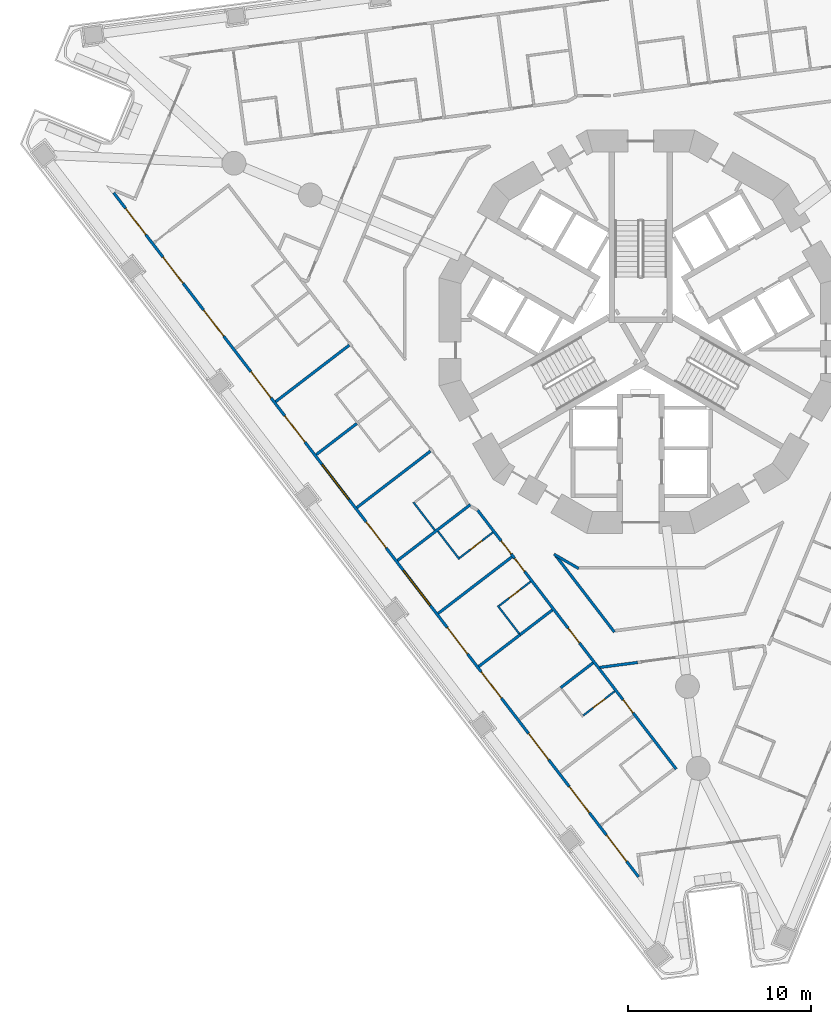
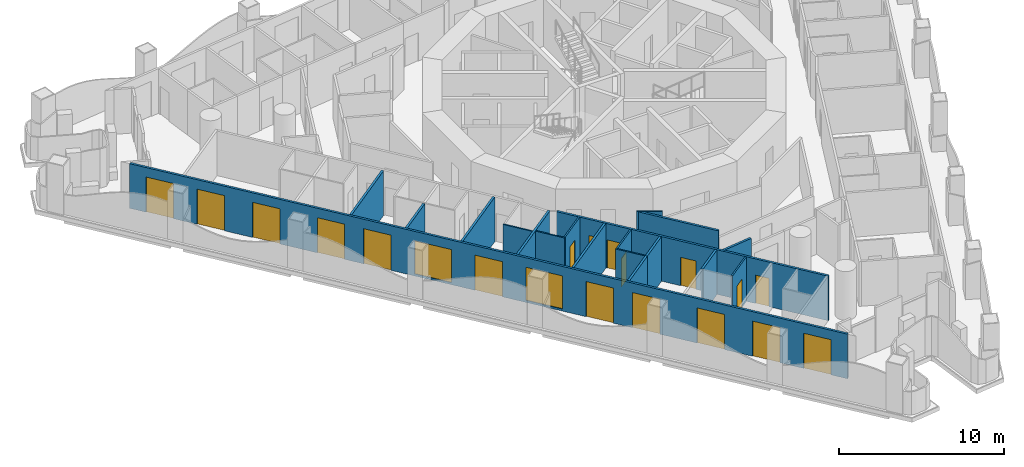
# One storey, part 2 of 19: 19 walls, 18 doors, 2 windows, 20 openings.
"""IFC4 building model written with IfcOpenShell, lengths in metres."""

from ifc_helpers import new_model, si_unit, direction, frame, frame_2d, origin, place, context, subcontext, project, spatial, polyline, rectangle, outline, extrude, material, layer, layer_set, type_object, element, fill, save


model = new_model("IFC4")

# Units and contexts
model_context = context("Model", 3, precision=1e-05, world=origin(), true_north=direction((0.0, 1.0)))
body_context = subcontext(model_context, "Body", "Model", "MODEL_VIEW")
ifc_project = project(units=[si_unit("LENGTHUNIT", "METRE"), si_unit("AREAUNIT", "SQUARE_METRE"), si_unit("VOLUMEUNIT", "CUBIC_METRE"), si_unit("PLANEANGLEUNIT", "RADIAN"), si_unit("MASSUNIT", "GRAM", prefix="KILO")], contexts=[model_context])

# Site, building, storey
site_placement = place(None, origin())
site = spatial("IfcSite", under=ifc_project, at=site_placement, CompositionType="ELEMENT")
building_placement = place(site_placement, origin())
building = spatial("IfcBuilding", under=site, at=building_placement, Name="Trine Commons Tower", CompositionType="ELEMENT")
storey_placement = place(building_placement, frame((0.0, 0.0, 54.0)))
storey = spatial("IfcBuildingStorey", under=building, at=storey_placement, Name="L12", CompositionType="ELEMENT", Elevation=54.0)

# Wall, openings, windows, doors
ifc_material_1 = material(Name="Aluminium-framed insulated wall panel", Category="aluminium")
ifc_layer_1 = layer(ifc_material_1, 0.14990234375)
ifc_layer_set_1 = layer_set([ifc_layer_1], Name="Aluminium-framed insulated wall panel")
wall_type_1 = type_object("IfcWallType", Name="Glazed frame wall 150, EI 60", PredefinedType="SOLIDWALL", material=ifc_layer_set_1)
wall_1_placement = place(storey_placement, frame((79.968994140625, 32.624267578125, 0.0), z_axis=(0.0, 0.0, 1.0), x_axis=(-0.608761526367, 0.793353265585, 0.0)))
wall_1 = element("IfcWall", 1, at=wall_1_placement, inside=storey, type_object=wall_type_1, Name="Glazed frame wall F3", PredefinedType="SOLIDWALL", context=body_context, shape_type="SweptSolid", body=[
    extrude(outline(polyline([(0.1494140625, 0.074951171875), (0.1494140625, -0.074951171875), (47.216796875, -0.074951171875), (47.216796875, 0.074951171875), (0.1494140625, 0.074951171875)])), origin(), (0.0, 0.0, 1.0), 3.300048828125),
])
opening_1_placement = place(wall_1_placement, frame((1.2216796875, 0.0, 0.0)))
opening_1 = element("IfcOpeningElement", 2, at=opening_1_placement, cuts=wall_1, Name="Opening BD-2F3-01", PredefinedType="OPENING", context=body_context, shape_type="SweptSolid", body=[
    extrude(rectangle(XDim=1.800048828125, YDim=2.60009765625, at=frame_2d((0.89990234375, 1.300048828125))), frame((0.0, 0.0849609375, 0.0), z_axis=(0.0, -1.0, 0.0), x_axis=(1.0, 0.0, 0.0)), (0.0, 0.0, 1.0), 0.169921875),
])
opening_2_placement = place(wall_1_placement, frame((4.5654296875, 0.0, 0.0)))
opening_2 = element("IfcOpeningElement", 3, at=opening_2_placement, cuts=wall_1, Name="Opening BD-2F3-02", PredefinedType="OPENING", context=body_context, shape_type="SweptSolid", body=[
    extrude(rectangle(XDim=1.800048828125, YDim=2.60009765625, at=frame_2d((0.89990234375, 1.300048828125))), frame((0.0, 0.0849609375, 0.0), z_axis=(0.0, -1.0, 0.0), x_axis=(1.0, 0.0, 0.0)), (0.0, 0.0, 1.0), 0.169921875),
])
opening_3_placement = place(wall_1_placement, frame((8.208984375, 0.0, 0.0)))
opening_3 = element("IfcOpeningElement", 4, at=opening_3_placement, cuts=wall_1, Name="Opening BD-2F3-03", PredefinedType="OPENING", context=body_context, shape_type="SweptSolid", body=[
    extrude(rectangle(XDim=1.800048828125, YDim=2.60009765625, at=frame_2d((0.89990234375, 1.300048828125))), frame((0.0, 0.0849609375, 0.0), z_axis=(0.0, -1.0, 0.0), x_axis=(1.0, 0.0, 0.0)), (0.0, 0.0, 1.0), 0.169921875),
])
opening_4_placement = place(wall_1_placement, frame((12.45263671875, 0.0, 0.0)))
opening_4 = element("IfcOpeningElement", 5, at=opening_4_placement, cuts=wall_1, Name="Opening BD-2F3-04", PredefinedType="OPENING", context=body_context, shape_type="SweptSolid", body=[
    extrude(rectangle(XDim=1.800048828125, YDim=2.60009765625, at=frame_2d((0.89990234375, 1.300048828125))), frame((0.0, 0.0849609375, 0.0), z_axis=(0.0, -1.0, 0.0), x_axis=(1.0, 0.0, 0.0)), (0.0, 0.0, 1.0), 0.169921875),
])
opening_5_placement = place(wall_1_placement, frame((15.49609375, 0.0, 0.0)))
opening_5 = element("IfcOpeningElement", 6, at=opening_5_placement, cuts=wall_1, Name="Opening BD-2F3-05", PredefinedType="OPENING", context=body_context, shape_type="SweptSolid", body=[
    extrude(rectangle(XDim=1.800048828125, YDim=2.60009765625, at=frame_2d((0.89990234375, 1.300048828125))), frame((0.0, 0.0849609375, 0.0), z_axis=(0.0, -1.0, 0.0), x_axis=(1.0, 0.0, 0.0)), (0.0, 0.0, 1.0), 0.169921875),
])
opening_6_placement = place(wall_1_placement, frame((18.83984375, 0.0, 0.14990234375)))
opening_6 = element("IfcOpeningElement", 7, at=opening_6_placement, cuts=wall_1, Name="Opening W-2F3-06", PredefinedType="OPENING", context=body_context, shape_type="SweptSolid", body=[
    extrude(rectangle(XDim=2.39990234375, YDim=2.449951171875, at=frame_2d((1.199951171875, 1.22509765625))), frame((0.0, 0.0849609375, 0.0), z_axis=(0.0, -1.0, 0.0), x_axis=(1.0, 0.0, 0.0)), (0.0, 0.0, 1.0), 0.169921875),
])
opening_7_placement = place(wall_1_placement, frame((22.783447265625, 0.0, 0.0)))
opening_7 = element("IfcOpeningElement", 8, at=opening_7_placement, cuts=wall_1, Name="Opening BD-2F3-07", PredefinedType="OPENING", context=body_context, shape_type="SweptSolid", body=[
    extrude(rectangle(XDim=1.800048828125, YDim=2.60009765625, at=frame_2d((0.89990234375, 1.300048828125))), frame((0.0, 0.0849609375, 0.0), z_axis=(0.0, -1.0, 0.0), x_axis=(1.0, 0.0, 0.0)), (0.0, 0.0, 1.0), 0.169921875),
])
opening_8_placement = place(wall_1_placement, frame((26.126953125, 0.0, 0.14990234375)))
opening_8 = element("IfcOpeningElement", 9, at=opening_8_placement, cuts=wall_1, Name="Opening W-2F3-08", PredefinedType="OPENING", context=body_context, shape_type="SweptSolid", body=[
    extrude(rectangle(XDim=2.39990234375, YDim=2.449951171875, at=frame_2d((1.199951171875, 1.22509765625))), frame((0.0, 0.0849609375, 0.0), z_axis=(0.0, -1.0, 0.0), x_axis=(1.0, 0.0, 0.0)), (0.0, 0.0, 1.0), 0.169921875),
])
opening_9_placement = place(wall_1_placement, frame((30.070556640625, 0.0, 0.0)))
opening_9 = element("IfcOpeningElement", 10, at=opening_9_placement, cuts=wall_1, Name="Opening BD-2F3-09", PredefinedType="OPENING", context=body_context, shape_type="SweptSolid", body=[
    extrude(rectangle(XDim=1.800048828125, YDim=2.60009765625, at=frame_2d((0.89990234375, 1.300048828125))), frame((0.0, 0.0849609375, 0.0), z_axis=(0.0, -1.0, 0.0), x_axis=(1.0, 0.0, 0.0)), (0.0, 0.0, 1.0), 0.169921875),
])
opening_10_placement = place(wall_1_placement, frame((33.1142578125, 0.0, 0.0)))
opening_10 = element("IfcOpeningElement", 11, at=opening_10_placement, cuts=wall_1, Name="Opening BD-2F3-10", PredefinedType="OPENING", context=body_context, shape_type="SweptSolid", body=[
    extrude(rectangle(XDim=1.800048828125, YDim=2.60009765625, at=frame_2d((0.89990234375, 1.300048828125))), frame((0.0, 0.0849609375, 0.0), z_axis=(0.0, -1.0, 0.0), x_axis=(1.0, 0.0, 0.0)), (0.0, 0.0, 1.0), 0.169921875),
])
opening_11_placement = place(wall_1_placement, frame((37.35791015625, 0.0, 0.0)))
opening_11 = element("IfcOpeningElement", 12, at=opening_11_placement, cuts=wall_1, Name="Opening BD-2F3-11", PredefinedType="OPENING", context=body_context, shape_type="SweptSolid", body=[
    extrude(rectangle(XDim=1.800048828125, YDim=2.60009765625, at=frame_2d((0.89990234375, 1.300048828125))), frame((0.0, 0.0849609375, 0.0), z_axis=(0.0, -1.0, 0.0), x_axis=(1.0, 0.0, 0.0)), (0.0, 0.0, 1.0), 0.169921875),
])
opening_12_placement = place(wall_1_placement, frame((41.00146484375, 0.0, 0.0)))
opening_12 = element("IfcOpeningElement", 13, at=opening_12_placement, cuts=wall_1, Name="Opening BD-2F3-12", PredefinedType="OPENING", context=body_context, shape_type="SweptSolid", body=[
    extrude(rectangle(XDim=1.800048828125, YDim=2.60009765625, at=frame_2d((0.89990234375, 1.300048828125))), frame((0.0, 0.0849609375, 0.0), z_axis=(0.0, -1.0, 0.0), x_axis=(1.0, 0.0, 0.0)), (0.0, 0.0, 1.0), 0.169921875),
])
opening_13_placement = place(wall_1_placement, frame((44.344970703125, 0.0, 0.0)))
opening_13 = element("IfcOpeningElement", 14, at=opening_13_placement, cuts=wall_1, Name="Opening BD-2F3-13", PredefinedType="OPENING", context=body_context, shape_type="SweptSolid", body=[
    extrude(rectangle(XDim=1.800048828125, YDim=2.60009765625, at=frame_2d((0.89990234375, 1.300048828125))), frame((0.0, 0.0849609375, 0.0), z_axis=(0.0, -1.0, 0.0), x_axis=(1.0, 0.0, 0.0)), (0.0, 0.0, 1.0), 0.169921875),
])
ifc_material_2 = material(Name="Anodised aluminium frame with double glazing", Category="aluminium")
window_type = type_object("IfcWindowType", Name="Fixed window 2400x2450", PartitioningType="SINGLE_PANEL", PredefinedType="WINDOW", material=ifc_material_2)
window_1_placement = place(opening_6_placement, origin())
window_1 = element("IfcWindow", 15, at=window_1_placement, inside=storey, type_object=window_type, Name="Window F3 6", OverallHeight=2.449951171875, OverallWidth=2.39990234375, PartitioningType="SINGLE_PANEL", PredefinedType="WINDOW", context=body_context, shape_type="SweptSolid", body=[
    extrude(rectangle(XDim=2.39990234375, YDim=2.449951171875, at=frame_2d((1.199951171875, 1.22509765625))), frame((0.0, 0.030029296875, 0.0), z_axis=(0.0, -1.0, 0.0), x_axis=(1.0, 0.0, 0.0)), (0.0, 0.0, 1.0), 0.06005859375),
])
fill(opening_6, window_1)
window_2_placement = place(opening_8_placement, origin())
window_2 = element("IfcWindow", 16, at=window_2_placement, inside=storey, type_object=window_type, Name="Window F3 8", OverallHeight=2.449951171875, OverallWidth=2.39990234375, PartitioningType="SINGLE_PANEL", PredefinedType="WINDOW", context=body_context, shape_type="SweptSolid", body=[
    extrude(rectangle(XDim=2.39990234375, YDim=2.449951171875, at=frame_2d((1.199951171875, 1.22509765625))), frame((0.0, 0.030029296875, 0.0), z_axis=(0.0, -1.0, 0.0), x_axis=(1.0, 0.0, 0.0)), (0.0, 0.0, 1.0), 0.06005859375),
])
fill(opening_8, window_2)
door_type_1 = type_object("IfcDoorType", Name="Sliding loggia door 1800x2600", OperationType="SLIDING_TO_LEFT", PredefinedType="DOOR", material=ifc_material_2)
door_1_placement = place(opening_1_placement, origin())
door_1 = element("IfcDoor", 17, at=door_1_placement, inside=storey, type_object=door_type_1, Name="Loggia door F3 1", OperationType="SLIDING_TO_LEFT", OverallHeight=2.60009765625, OverallWidth=1.800048828125, PredefinedType="DOOR", context=body_context, shape_type="SweptSolid", body=[
    extrude(rectangle(XDim=1.800048828125, YDim=2.60009765625, at=frame_2d((0.89990234375, 1.300048828125))), frame((0.0, 0.02490234375, 0.0), z_axis=(0.0, -1.0, 0.0), x_axis=(1.0, 0.0, 0.0)), (0.0, 0.0, 1.0), 0.050048828125),
])
fill(opening_1, door_1)
door_2_placement = place(opening_2_placement, origin())
door_2 = element("IfcDoor", 18, at=door_2_placement, inside=storey, type_object=door_type_1, Name="Loggia door F3 2", OperationType="SLIDING_TO_LEFT", OverallHeight=2.60009765625, OverallWidth=1.800048828125, PredefinedType="DOOR", context=body_context, shape_type="SweptSolid", body=[
    extrude(rectangle(XDim=1.800048828125, YDim=2.60009765625, at=frame_2d((0.89990234375, 1.300048828125))), frame((0.0, 0.02490234375, 0.0), z_axis=(0.0, -1.0, 0.0), x_axis=(1.0, 0.0, 0.0)), (0.0, 0.0, 1.0), 0.050048828125),
])
fill(opening_2, door_2)
door_3_placement = place(opening_3_placement, origin())
door_3 = element("IfcDoor", 19, at=door_3_placement, inside=storey, type_object=door_type_1, Name="Loggia door F3 3", OperationType="SLIDING_TO_LEFT", OverallHeight=2.60009765625, OverallWidth=1.800048828125, PredefinedType="DOOR", context=body_context, shape_type="SweptSolid", body=[
    extrude(rectangle(XDim=1.800048828125, YDim=2.60009765625, at=frame_2d((0.89990234375, 1.300048828125))), frame((0.0, 0.02490234375, 0.0), z_axis=(0.0, -1.0, 0.0), x_axis=(1.0, 0.0, 0.0)), (0.0, 0.0, 1.0), 0.050048828125),
])
fill(opening_3, door_3)
door_4_placement = place(opening_4_placement, origin())
door_4 = element("IfcDoor", 20, at=door_4_placement, inside=storey, type_object=door_type_1, Name="Loggia door F3 4", OperationType="SLIDING_TO_LEFT", OverallHeight=2.60009765625, OverallWidth=1.800048828125, PredefinedType="DOOR", context=body_context, shape_type="SweptSolid", body=[
    extrude(rectangle(XDim=1.800048828125, YDim=2.60009765625, at=frame_2d((0.89990234375, 1.300048828125))), frame((0.0, 0.02490234375, 0.0), z_axis=(0.0, -1.0, 0.0), x_axis=(1.0, 0.0, 0.0)), (0.0, 0.0, 1.0), 0.050048828125),
])
fill(opening_4, door_4)
door_5_placement = place(opening_5_placement, origin())
door_5 = element("IfcDoor", 21, at=door_5_placement, inside=storey, type_object=door_type_1, Name="Loggia door F3 5", OperationType="SLIDING_TO_LEFT", OverallHeight=2.60009765625, OverallWidth=1.800048828125, PredefinedType="DOOR", context=body_context, shape_type="SweptSolid", body=[
    extrude(rectangle(XDim=1.800048828125, YDim=2.60009765625, at=frame_2d((0.89990234375, 1.300048828125))), frame((0.0, 0.02490234375, 0.0), z_axis=(0.0, -1.0, 0.0), x_axis=(1.0, 0.0, 0.0)), (0.0, 0.0, 1.0), 0.050048828125),
])
fill(opening_5, door_5)
door_6_placement = place(opening_7_placement, origin())
door_6 = element("IfcDoor", 22, at=door_6_placement, inside=storey, type_object=door_type_1, Name="Loggia door F3 7", OperationType="SLIDING_TO_LEFT", OverallHeight=2.60009765625, OverallWidth=1.800048828125, PredefinedType="DOOR", context=body_context, shape_type="SweptSolid", body=[
    extrude(rectangle(XDim=1.800048828125, YDim=2.60009765625, at=frame_2d((0.89990234375, 1.300048828125))), frame((0.0, 0.02490234375, 0.0), z_axis=(0.0, -1.0, 0.0), x_axis=(1.0, 0.0, 0.0)), (0.0, 0.0, 1.0), 0.050048828125),
])
fill(opening_7, door_6)
door_7_placement = place(opening_9_placement, origin())
door_7 = element("IfcDoor", 23, at=door_7_placement, inside=storey, type_object=door_type_1, Name="Loggia door F3 9", OperationType="SLIDING_TO_LEFT", OverallHeight=2.60009765625, OverallWidth=1.800048828125, PredefinedType="DOOR", context=body_context, shape_type="SweptSolid", body=[
    extrude(rectangle(XDim=1.800048828125, YDim=2.60009765625, at=frame_2d((0.89990234375, 1.300048828125))), frame((0.0, 0.02490234375, 0.0), z_axis=(0.0, -1.0, 0.0), x_axis=(1.0, 0.0, 0.0)), (0.0, 0.0, 1.0), 0.050048828125),
])
fill(opening_9, door_7)
door_8_placement = place(opening_10_placement, origin())
door_8 = element("IfcDoor", 24, at=door_8_placement, inside=storey, type_object=door_type_1, Name="Loggia door F3 10", OperationType="SLIDING_TO_LEFT", OverallHeight=2.60009765625, OverallWidth=1.800048828125, PredefinedType="DOOR", context=body_context, shape_type="SweptSolid", body=[
    extrude(rectangle(XDim=1.800048828125, YDim=2.60009765625, at=frame_2d((0.89990234375, 1.300048828125))), frame((0.0, 0.02490234375, 0.0), z_axis=(0.0, -1.0, 0.0), x_axis=(1.0, 0.0, 0.0)), (0.0, 0.0, 1.0), 0.050048828125),
])
fill(opening_10, door_8)
door_9_placement = place(opening_11_placement, origin())
door_9 = element("IfcDoor", 25, at=door_9_placement, inside=storey, type_object=door_type_1, Name="Loggia door F3 11", OperationType="SLIDING_TO_LEFT", OverallHeight=2.60009765625, OverallWidth=1.800048828125, PredefinedType="DOOR", context=body_context, shape_type="SweptSolid", body=[
    extrude(rectangle(XDim=1.800048828125, YDim=2.60009765625, at=frame_2d((0.89990234375, 1.300048828125))), frame((0.0, 0.02490234375, 0.0), z_axis=(0.0, -1.0, 0.0), x_axis=(1.0, 0.0, 0.0)), (0.0, 0.0, 1.0), 0.050048828125),
])
fill(opening_11, door_9)
door_10_placement = place(opening_12_placement, origin())
door_10 = element("IfcDoor", 26, at=door_10_placement, inside=storey, type_object=door_type_1, Name="Loggia door F3 12", OperationType="SLIDING_TO_LEFT", OverallHeight=2.60009765625, OverallWidth=1.800048828125, PredefinedType="DOOR", context=body_context, shape_type="SweptSolid", body=[
    extrude(rectangle(XDim=1.800048828125, YDim=2.60009765625, at=frame_2d((0.89990234375, 1.300048828125))), frame((0.0, 0.02490234375, 0.0), z_axis=(0.0, -1.0, 0.0), x_axis=(1.0, 0.0, 0.0)), (0.0, 0.0, 1.0), 0.050048828125),
])
fill(opening_12, door_10)
door_11_placement = place(opening_13_placement, origin())
door_11 = element("IfcDoor", 27, at=door_11_placement, inside=storey, type_object=door_type_1, Name="Loggia door F3 13", OperationType="SLIDING_TO_LEFT", OverallHeight=2.60009765625, OverallWidth=1.800048828125, PredefinedType="DOOR", context=body_context, shape_type="SweptSolid", body=[
    extrude(rectangle(XDim=1.800048828125, YDim=2.60009765625, at=frame_2d((0.89990234375, 1.300048828125))), frame((0.0, 0.02490234375, 0.0), z_axis=(0.0, -1.0, 0.0), x_axis=(1.0, 0.0, 0.0)), (0.0, 0.0, 1.0), 0.050048828125),
])
fill(opening_13, door_11)

# Walls
ifc_material_3 = material(Name="Gypsum plasterboard on steel stud", Category="steel")
ifc_layer_2 = layer(ifc_material_3, 0.14990234375)
ifc_layer_set_2 = layer_set([ifc_layer_2], Name="Gypsum plasterboard on steel stud")
wall_type_2 = type_object("IfcWallType", Name="Unit and corridor wall 150 mm, EI 60", PredefinedType="PARTITIONING", material=ifc_layer_set_2)
wall_2_placement = place(storey_placement, frame((60.065673828125, 58.686279296875, 0.0), z_axis=(0.0, 0.0, 1.0), x_axis=(0.793444149255, 0.608643066184, 0.0)))
element("IfcWall", 28, at=wall_2_placement, inside=storey, type_object=wall_type_2, Name="Partition 010", PredefinedType="PARTITIONING", context=body_context, shape_type="SweptSolid", body=[
    extrude(rectangle(XDim=5.063720703125, YDim=0.14990234375, at=frame_2d((2.53173828125, 0.0))), origin(), (0.0, 0.0, 1.0), 3.300048828125),
])
wall_3_placement = place(storey_placement, frame((62.28369140625, 55.79541015625, 0.0), z_axis=(0.0, 0.0, 1.0), x_axis=(0.793280814045, 0.608855935397, 0.0)))
element("IfcWall", 29, at=wall_3_placement, inside=storey, type_object=wall_type_2, Name="Partition 021", PredefinedType="PARTITIONING", context=body_context, shape_type="SweptSolid", body=[
    extrude(rectangle(XDim=2.789306640625, YDim=0.14990234375, at=frame_2d((1.39453125, 0.0))), origin(), (0.0, 0.0, 1.0), 3.300048828125),
])
wall_4_placement = place(storey_placement, frame((64.501708984375, 52.904296875, 0.0), z_axis=(0.0, 0.0, 1.0), x_axis=(0.793351017656, 0.608764455913, 0.0)))
element("IfcWall", 30, at=wall_4_placement, inside=storey, type_object=wall_type_2, Name="Partition 031", PredefinedType="PARTITIONING", context=body_context, shape_type="SweptSolid", body=[
    extrude(rectangle(XDim=5.064453125, YDim=0.14990234375, at=frame_2d((2.5322265625, 0.0))), origin(), (0.0, 0.0, 1.0), 3.300048828125),
])
wall_5_placement = place(storey_placement, frame((66.7197265625, 50.014404296875, 0.0), z_axis=(0.0, 0.0, 1.0), x_axis=(0.793383103562, 0.608722638796, 0.0)))
element("IfcWall", 31, at=wall_5_placement, inside=storey, type_object=wall_type_2, Name="Partition 042", PredefinedType="PARTITIONING", context=body_context, shape_type="SweptSolid", body=[
    extrude(rectangle(XDim=5.017333984375, YDim=0.14990234375, at=frame_2d((2.5087890625, 0.0))), origin(), (0.0, 0.0, 1.0), 3.300048828125),
])
wall_6_placement = place(storey_placement, frame((68.937744140625, 47.123291015625, 0.0), z_axis=(0.0, 0.0, 1.0), x_axis=(0.793351017656, 0.608764455913, 0.0)))
element("IfcWall", 32, at=wall_6_placement, inside=storey, type_object=wall_type_2, Name="Partition 052", PredefinedType="PARTITIONING", context=body_context, shape_type="SweptSolid", body=[
    extrude(rectangle(XDim=5.064453125, YDim=0.14990234375, at=frame_2d((2.5322265625, 0.0))), origin(), (0.0, 0.0, 1.0), 3.300048828125),
])

# Wall, openings, doors
wall_7_placement = place(storey_placement, frame((71.087890625, 52.76611328125, 0.0), z_axis=(0.0, 0.0, 1.0), x_axis=(0.608663951432, -0.793428127953, 0.0)))
wall_7 = element("IfcWall", 33, at=wall_7_placement, inside=storey, type_object=wall_type_2, Name="Partition 058", PredefinedType="PARTITIONING", context=body_context, shape_type="SweptSolid", body=[
    extrude(rectangle(XDim=17.8173828125, YDim=0.14990234375, at=frame_2d((8.90869140625, 0.0))), origin(), (0.0, 0.0, 1.0), 3.300048828125),
])
opening_14_placement = place(wall_7_placement, frame((13.048095703125, 0.0, 0.0)))
opening_14 = element("IfcOpeningElement", 34, at=opening_14_placement, cuts=wall_7, Name="Opening D-2A27", PredefinedType="OPENING", context=body_context, shape_type="SweptSolid", body=[
    extrude(rectangle(XDim=0.89990234375, YDim=2.10009765625, at=frame_2d((0.449951171875, 1.050048828125))), frame((0.0, 0.0849609375, 0.0), z_axis=(0.0, -1.0, 0.0), x_axis=(1.0, 0.0, 0.0)), (0.0, 0.0, 1.0), 0.169921875),
])
opening_15_placement = place(wall_7_placement, frame((8.13330078125, 0.0, 0.0)))
opening_15 = element("IfcOpeningElement", 35, at=opening_15_placement, cuts=wall_7, Name="Opening D-2A28", PredefinedType="OPENING", context=body_context, shape_type="SweptSolid", body=[
    extrude(rectangle(XDim=1.0, YDim=2.10009765625, at=frame_2d((0.5, 1.050048828125))), frame((0.0, 0.0849609375, 0.0), z_axis=(0.0, -1.0, 0.0), x_axis=(1.0, 0.0, 0.0)), (0.0, 0.0, 1.0), 0.169921875),
])
opening_16_placement = place(wall_7_placement, frame((3.317626953125, 0.0, 0.0)))
opening_16 = element("IfcOpeningElement", 36, at=opening_16_placement, cuts=wall_7, Name="Opening D-2A29", PredefinedType="OPENING", context=body_context, shape_type="SweptSolid", body=[
    extrude(rectangle(XDim=0.89990234375, YDim=2.10009765625, at=frame_2d((0.449951171875, 1.050048828125))), frame((0.0, 0.0849609375, 0.0), z_axis=(0.0, -1.0, 0.0), x_axis=(1.0, 0.0, 0.0)), (0.0, 0.0, 1.0), 0.169921875),
])
opening_17_placement = place(wall_7_placement, frame((2.11767578125, 0.0, 0.0)))
opening_17 = element("IfcOpeningElement", 37, at=opening_17_placement, cuts=wall_7, Name="Opening D-2A30", PredefinedType="OPENING", context=body_context, shape_type="SweptSolid", body=[
    extrude(rectangle(XDim=0.89990234375, YDim=2.10009765625, at=frame_2d((0.449951171875, 1.050048828125))), frame((0.0, 0.0849609375, 0.0), z_axis=(0.0, -1.0, 0.0), x_axis=(1.0, 0.0, 0.0)), (0.0, 0.0, 1.0), 0.169921875),
])
ifc_material_4 = material(Name="Painted timber", Category="wood")
door_type_2 = type_object("IfcDoorType", Name="Amenity room door 1000 x 2100, NOT RATED", OperationType="NOTDEFINED", PredefinedType="DOOR", material=ifc_material_4)
door_12_placement = place(opening_15_placement, frame((1.0, 0.0, 0.0), z_axis=(0.0, 0.0, 1.0), x_axis=(-1.0, 0.0, 0.0)))
door_12 = element("IfcDoor", 38, at=door_12_placement, inside=storey, type_object=door_type_2, Name="Door D-2A28", OperationType="SINGLE_SWING_RIGHT", OverallHeight=2.10009765625, OverallWidth=1.0, PredefinedType="DOOR", context=body_context, shape_type="SweptSolid", body=[
    extrude(rectangle(XDim=1.0, YDim=2.10009765625, at=frame_2d((0.5, 1.050048828125))), frame((0.0, 0.02490234375, 0.0), z_axis=(0.0, -1.0, 0.0), x_axis=(1.0, 0.0, 0.0)), (0.0, 0.0, 1.0), 0.050048828125),
])
fill(opening_15, door_12)
ifc_material_5 = material(Name="Timber fire door set", Category="wood")
door_type_3 = type_object("IfcDoorType", Name="Bedroom door 900 x 2100, FD30S", OperationType="NOTDEFINED", PredefinedType="DOOR", material=ifc_material_5)
door_13_placement = place(opening_14_placement, frame((0.89990234375, 0.0, 0.0), z_axis=(0.0, 0.0, 1.0), x_axis=(-1.0, 0.0, 0.0)))
door_13 = element("IfcDoor", 39, at=door_13_placement, inside=storey, type_object=door_type_3, Name="Door D-2A27", OperationType="SINGLE_SWING_LEFT", OverallHeight=2.10009765625, OverallWidth=0.89990234375, PredefinedType="DOOR", context=body_context, shape_type="SweptSolid", body=[
    extrude(rectangle(XDim=0.89990234375, YDim=2.10009765625, at=frame_2d((0.449951171875, 1.050048828125))), frame((0.0, 0.02490234375, 0.0), z_axis=(0.0, -1.0, 0.0), x_axis=(1.0, 0.0, 0.0)), (0.0, 0.0, 1.0), 0.050048828125),
])
fill(opening_14, door_13)
door_14_placement = place(opening_16_placement, frame((0.89990234375, 0.0, 0.0), z_axis=(0.0, 0.0, 1.0), x_axis=(-1.0, 0.0, 0.0)))
door_14 = element("IfcDoor", 40, at=door_14_placement, inside=storey, type_object=door_type_3, Name="Door D-2A29", OperationType="SINGLE_SWING_RIGHT", OverallHeight=2.10009765625, OverallWidth=0.89990234375, PredefinedType="DOOR", context=body_context, shape_type="SweptSolid", body=[
    extrude(rectangle(XDim=0.89990234375, YDim=2.10009765625, at=frame_2d((0.449951171875, 1.050048828125))), frame((0.0, 0.02490234375, 0.0), z_axis=(0.0, -1.0, 0.0), x_axis=(1.0, 0.0, 0.0)), (0.0, 0.0, 1.0), 0.050048828125),
])
fill(opening_16, door_14)
door_15_placement = place(opening_17_placement, frame((0.89990234375, 0.0, 0.0), z_axis=(0.0, 0.0, 1.0), x_axis=(-1.0, 0.0, 0.0)))
door_15 = element("IfcDoor", 41, at=door_15_placement, inside=storey, type_object=door_type_3, Name="Door D-2A30", OperationType="SINGLE_SWING_RIGHT", OverallHeight=2.10009765625, OverallWidth=0.89990234375, PredefinedType="DOOR", context=body_context, shape_type="SweptSolid", body=[
    extrude(rectangle(XDim=0.89990234375, YDim=2.10009765625, at=frame_2d((0.449951171875, 1.050048828125))), frame((0.0, 0.02490234375, 0.0), z_axis=(0.0, -1.0, 0.0), x_axis=(1.0, 0.0, 0.0)), (0.0, 0.0, 1.0), 0.050048828125),
])
fill(opening_17, door_15)

# Walls
wall_8_placement = place(storey_placement, frame((71.15576171875, 44.232421875, 0.0), z_axis=(0.0, 0.0, 1.0), x_axis=(0.793345018711, 0.60877227375, 0.0)))
element("IfcWall", 42, at=wall_8_placement, inside=storey, type_object=wall_type_2, Name="Partition 059", PredefinedType="PARTITIONING", context=body_context, shape_type="SweptSolid", body=[
    extrude(rectangle(XDim=2.842529296875, YDim=0.14990234375, at=frame_2d((1.42138671875, 0.0))), origin(), (0.0, 0.0, 1.0), 3.300048828125),
])
wall_9_placement = place(storey_placement, frame((73.405029296875, 45.958984375, 0.0), z_axis=(0.0, 0.0, 1.0), x_axis=(0.793486460679, 0.608587903856, 0.0)))
element("IfcWall", 43, at=wall_9_placement, inside=storey, type_object=wall_type_2, Name="Partition 065", PredefinedType="PARTITIONING", context=body_context, shape_type="SweptSolid", body=[
    extrude(rectangle(XDim=2.228759765625, YDim=0.14990234375, at=frame_2d((1.1142578125, 0.0))), origin(), (0.0, 0.0, 1.0), 3.300048828125),
])
wall_10_placement = place(storey_placement, frame((75.260986328125, 50.35546875, 0.0), z_axis=(0.0, 0.0, 1.0), x_axis=(0.866029224906, -0.499993381564, 0.0)))
element("IfcWall", 44, at=wall_10_placement, inside=storey, type_object=wall_type_2, Name="Partition 068", PredefinedType="PARTITIONING", context=body_context, shape_type="SweptSolid", body=[
    extrude(rectangle(XDim=1.56005859375, YDim=0.14990234375, at=frame_2d((0.780029296875, 0.0))), origin(), (0.0, 0.0, 1.0), 3.300048828125),
])
wall_11_placement = place(storey_placement, frame((75.373779296875, 50.257568359375, 0.0), z_axis=(0.0, 0.0, 1.0), x_axis=(0.608769592338, -0.793347076282, 0.0)))
element("IfcWall", 45, at=wall_11_placement, inside=storey, type_object=wall_type_2, Name="Partition 069", PredefinedType="PARTITIONING", context=body_context, shape_type="SweptSolid", body=[
    extrude(rectangle(XDim=5.22998046875, YDim=0.14990234375, at=frame_2d((2.614990234375, 0.0))), origin(), (0.0, 0.0, 1.0), 3.300048828125),
])
wall_12_placement = place(storey_placement, frame((75.626953125, 43.070068359375, 0.0), z_axis=(0.0, 0.0, 1.0), x_axis=(0.793313024441, 0.608813966045, 0.0)))
element("IfcWall", 46, at=wall_12_placement, inside=storey, type_object=wall_type_2, Name="Partition 072", PredefinedType="PARTITIONING", context=body_context, shape_type="SweptSolid", body=[
    extrude(rectangle(XDim=2.224365234375, YDim=0.14990234375, at=frame_2d((1.1123046875, 0.0))), origin(), (0.0, 0.0, 1.0), 3.300048828125),
])
wall_13_placement = place(storey_placement, frame((77.75732421875, 44.177734375, 0.0), z_axis=(0.0, 0.0, 1.0), x_axis=(0.99142565409, 0.130672003172, 0.0)))
element("IfcWall", 47, at=wall_13_placement, inside=storey, type_object=wall_type_2, Name="Partition 078", PredefinedType="PARTITIONING", context=body_context, shape_type="SweptSolid", body=[
    extrude(rectangle(XDim=2.090576171875, YDim=0.14990234375, at=frame_2d((1.04541015625, 0.0))), origin(), (0.0, 0.0, 1.0), 3.300048828125),
])
ifc_layer_3 = layer(ifc_material_3, 0.10009765625)
ifc_layer_set_3 = layer_set([ifc_layer_3], Name="Gypsum plasterboard on steel stud")
wall_type_3 = type_object("IfcWallType", Name="Unit partition 100 mm, no rating", PredefinedType="PARTITIONING", material=ifc_layer_set_3)
wall_14_placement = place(storey_placement, frame((67.584716796875, 53.19873046875, 0.0), z_axis=(0.0, 0.0, 1.0), x_axis=(0.608404928037, -0.793626765892, 0.0)))
element("IfcWall", 48, at=wall_14_placement, inside=storey, type_object=wall_type_3, Name="Partition 046", PredefinedType="PARTITIONING", context=body_context, shape_type="SweptSolid", body=[
    extrude(rectangle(XDim=1.92578125, YDim=0.10009765625, at=frame_2d((0.962890625, 0.0))), origin(), (0.0, 0.0, 1.0), 3.300048828125),
])
wall_15_placement = place(storey_placement, frame((68.9248046875, 51.611572265625, 0.0), z_axis=(0.0, 0.0, 1.0), x_axis=(0.608649853766, -0.793438942522, 0.0)))
element("IfcWall", 49, at=wall_15_placement, inside=storey, type_object=wall_type_3, Name="Partition 051", PredefinedType="PARTITIONING", context=body_context, shape_type="SweptSolid", body=[
    extrude(rectangle(XDim=1.925048828125, YDim=0.10009765625, at=frame_2d((0.96240234375, 0.0))), origin(), (0.0, 0.0, 1.0), 3.300048828125),
])

# Wall, opening, door
wall_16_placement = place(storey_placement, frame((70.105712890625, 50.154296875, 0.0), z_axis=(0.0, 0.0, 1.0), x_axis=(0.793486347076, 0.608588051972, 0.0)))
wall_16 = element("IfcWall", 50, at=wall_16_placement, inside=storey, type_object=wall_type_3, Name="Partition 055", PredefinedType="PARTITIONING", context=body_context, shape_type="SweptSolid", body=[
    extrude(rectangle(XDim=2.292236328125, YDim=0.10009765625, at=frame_2d((1.14599609375, 0.0))), origin(), (0.0, 0.0, 1.0), 3.300048828125),
])
opening_18_placement = place(wall_16_placement, frame((0.74609375, 0.0, 0.0)))
opening_18 = element("IfcOpeningElement", 51, at=opening_18_placement, cuts=wall_16, Name="Opening D-2A60", PredefinedType="OPENING", context=body_context, shape_type="SweptSolid", body=[
    extrude(rectangle(XDim=0.800048828125, YDim=2.10009765625, at=frame_2d((0.39990234375, 1.050048828125))), frame((0.0, 0.06005859375, 0.0), z_axis=(0.0, -1.0, 0.0), x_axis=(1.0, 0.0, 0.0)), (0.0, 0.0, 1.0), 0.1201171875),
])
door_type_4 = type_object("IfcDoorType", Name="Internal door 800 x 2100, NOT RATED", OperationType="NOTDEFINED", PredefinedType="DOOR", material=ifc_material_4)
door_16_placement = place(opening_18_placement, frame((0.800048828125, 0.0, 0.0), z_axis=(0.0, 0.0, 1.0), x_axis=(-1.0, 0.0, 0.0)))
door_16 = element("IfcDoor", 52, at=door_16_placement, inside=storey, type_object=door_type_4, Name="Door D-2A60", OperationType="SINGLE_SWING_LEFT", OverallHeight=2.10009765625, OverallWidth=0.800048828125, PredefinedType="DOOR", context=body_context, shape_type="SweptSolid", body=[
    extrude(rectangle(XDim=0.800048828125, YDim=2.10009765625, at=frame_2d((0.39990234375, 1.050048828125))), frame((0.0, 0.02490234375, 0.0), z_axis=(0.0, -1.0, 0.0), x_axis=(1.0, 0.0, 0.0)), (0.0, 0.0, 1.0), 0.050048828125),
])
fill(opening_18, door_16)

# Wall
wall_17_placement = place(storey_placement, frame((72.190673828125, 47.547607421875, 0.0), z_axis=(0.0, 0.0, 1.0), x_axis=(0.608711106948, -0.793391951231, 0.0)))
element("IfcWall", 53, at=wall_17_placement, inside=storey, type_object=wall_type_3, Name="Partition 061", PredefinedType="PARTITIONING", context=body_context, shape_type="SweptSolid", body=[
    extrude(rectangle(XDim=1.9248046875, YDim=0.10009765625, at=frame_2d((0.96240234375, 0.0))), origin(), (0.0, 0.0, 1.0), 3.300048828125),
])

# Wall, opening, door
wall_18_placement = place(storey_placement, frame((72.2607421875, 47.538330078125, 0.0), z_axis=(0.0, 0.0, 1.0), x_axis=(0.79342025342, 0.608674216197, 0.0)))
wall_18 = element("IfcWall", 54, at=wall_18_placement, inside=storey, type_object=wall_type_3, Name="Partition 062", PredefinedType="PARTITIONING", context=body_context, shape_type="SweptSolid", body=[
    extrude(rectangle(XDim=2.17529296875, YDim=0.10009765625, at=frame_2d((1.087646484375, 0.0))), origin(), (0.0, 0.0, 1.0), 3.300048828125),
])
opening_19_placement = place(wall_18_placement, frame((0.6875, 0.0, 0.0)))
opening_19 = element("IfcOpeningElement", 55, at=opening_19_placement, cuts=wall_18, Name="Opening D-2A59", PredefinedType="OPENING", context=body_context, shape_type="SweptSolid", body=[
    extrude(rectangle(XDim=0.800048828125, YDim=2.10009765625, at=frame_2d((0.39990234375, 1.050048828125))), frame((0.0, 0.06005859375, 0.0), z_axis=(0.0, -1.0, 0.0), x_axis=(1.0, 0.0, 0.0)), (0.0, 0.0, 1.0), 0.1201171875),
])
door_17_placement = place(opening_19_placement, origin())
door_17 = element("IfcDoor", 56, at=door_17_placement, inside=storey, type_object=door_type_4, Name="Door D-2A59", OperationType="SINGLE_SWING_RIGHT", OverallHeight=2.10009765625, OverallWidth=0.800048828125, PredefinedType="DOOR", context=body_context, shape_type="SweptSolid", body=[
    extrude(rectangle(XDim=0.800048828125, YDim=2.10009765625, at=frame_2d((0.39990234375, 1.050048828125))), frame((0.0, 0.02490234375, 0.0), z_axis=(0.0, -1.0, 0.0), x_axis=(1.0, 0.0, 0.0)), (0.0, 0.0, 1.0), 0.050048828125),
])
fill(opening_19, door_17)

wall_19_placement = place(storey_placement, frame((76.853759765625, 41.553466796875, 0.0), z_axis=(0.0, 0.0, 1.0), x_axis=(0.793308064866, 0.608820428549, 0.0)))
wall_19 = element("IfcWall", 57, at=wall_19_placement, inside=storey, type_object=wall_type_3, Name="Partition 077", PredefinedType="PARTITIONING", context=body_context, shape_type="SweptSolid", body=[
    extrude(rectangle(XDim=2.17431640625, YDim=0.10009765625, at=frame_2d((1.087158203125, 0.0))), origin(), (0.0, 0.0, 1.0), 3.300048828125),
])
opening_20_placement = place(wall_19_placement, frame((0.687255859375, 0.0, 0.0)))
opening_20 = element("IfcOpeningElement", 58, at=opening_20_placement, cuts=wall_19, Name="Opening D-2A58", PredefinedType="OPENING", context=body_context, shape_type="SweptSolid", body=[
    extrude(rectangle(XDim=0.800048828125, YDim=2.10009765625, at=frame_2d((0.39990234375, 1.050048828125))), frame((0.0, 0.06005859375, 0.0), z_axis=(0.0, -1.0, 0.0), x_axis=(1.0, 0.0, 0.0)), (0.0, 0.0, 1.0), 0.1201171875),
])
door_18_placement = place(opening_20_placement, frame((0.800048828125, 0.0, 0.0), z_axis=(0.0, 0.0, 1.0), x_axis=(-1.0, 0.0, 0.0)))
door_18 = element("IfcDoor", 59, at=door_18_placement, inside=storey, type_object=door_type_4, Name="Door D-2A58", OperationType="SINGLE_SWING_LEFT", OverallHeight=2.10009765625, OverallWidth=0.800048828125, PredefinedType="DOOR", context=body_context, shape_type="SweptSolid", body=[
    extrude(rectangle(XDim=0.800048828125, YDim=2.10009765625, at=frame_2d((0.39990234375, 1.050048828125))), frame((0.0, 0.02490234375, 0.0), z_axis=(0.0, -1.0, 0.0), x_axis=(1.0, 0.0, 0.0)), (0.0, 0.0, 1.0), 0.050048828125),
])
fill(opening_20, door_18)

save(model, "model.ifc")
